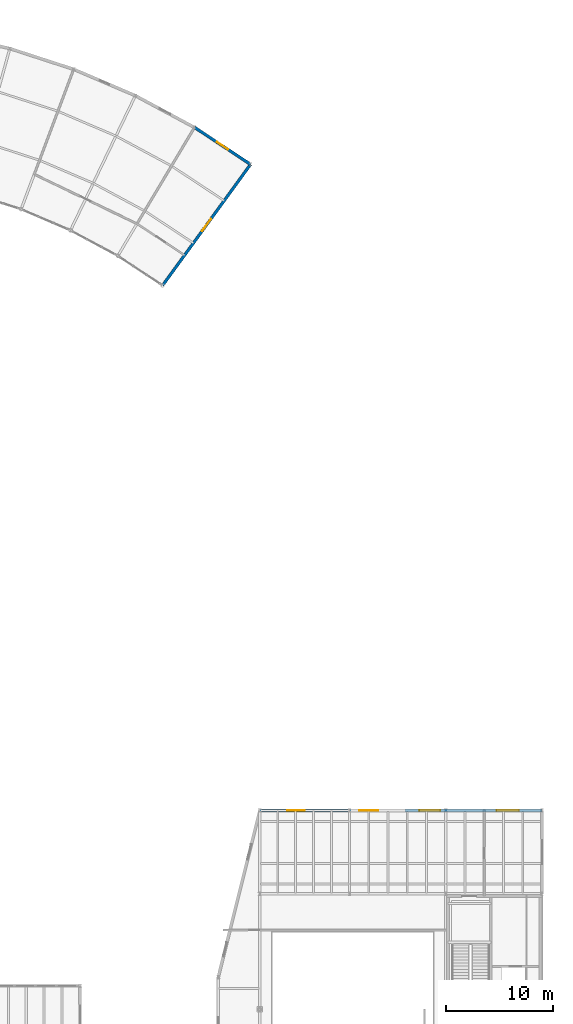
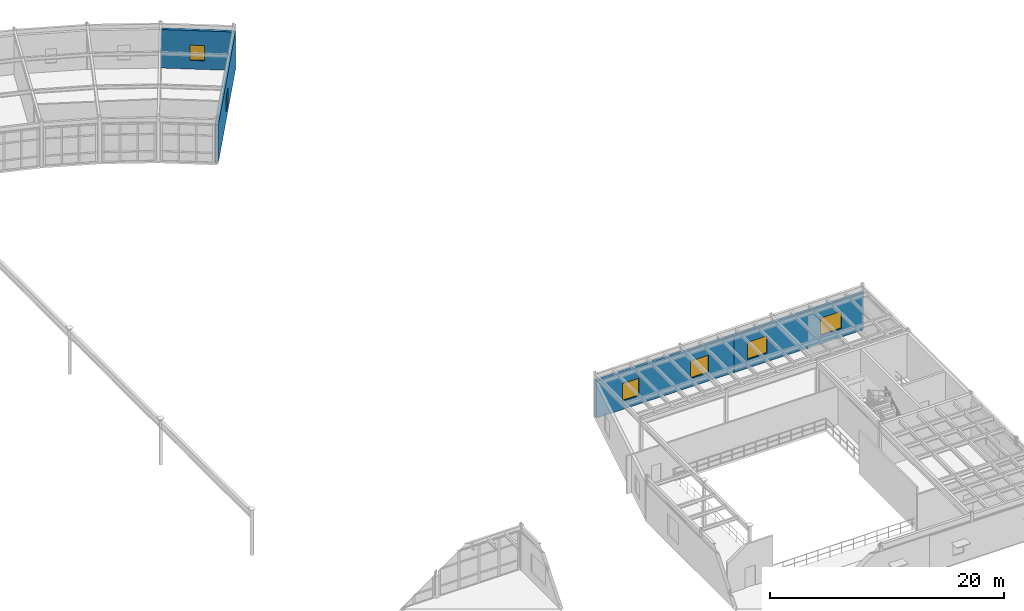
# One storey, part 101 of 116: 6 windows, 4 walls, 6 openings.
"""IFC4 building model written with IfcOpenShell, lengths in metres."""

from ifc_helpers import new_model, si_unit, direction, frame, frame_2d, origin, place, context, subcontext, project, spatial, rectangle, extrude, material, layer, layer_set, type_object, element, fill, save


model = new_model("IFC4")

# Units and contexts
model_context = context("Model", 3, precision=1e-05, world=origin(), true_north=direction((0.0, 1.0)))
body_context = subcontext(model_context, "Body", "Model", "MODEL_VIEW")
ifc_project = project(units=[si_unit("LENGTHUNIT", "METRE"), si_unit("AREAUNIT", "SQUARE_METRE"), si_unit("VOLUMEUNIT", "CUBIC_METRE"), si_unit("PLANEANGLEUNIT", "RADIAN"), si_unit("MASSUNIT", "GRAM", prefix="KILO")], contexts=[model_context])

# Site, building, storey
site_placement = place(None, origin())
site = spatial("IfcSite", under=ifc_project, at=site_placement, CompositionType="ELEMENT")
building_placement = place(site_placement, origin())
building = spatial("IfcBuilding", under=site, at=building_placement, Name="Selat Folded Stagehouse", CompositionType="ELEMENT")
storey_placement = place(building_placement, frame((0.0, 0.0, 5.39990234375)))
storey = spatial("IfcBuildingStorey", under=building, at=storey_placement, Name="L01", CompositionType="ELEMENT", Elevation=5.39990234375)

# Wall, openings, windows
ifc_material_1 = material(Name="Precast concrete C40/50", Category="concrete")
ifc_layer = layer(ifc_material_1, 0.27490234375)
ifc_layer_set = layer_set([ifc_layer], Name="Precast concrete C40/50")
wall_type = type_object("IfcWallType", Name="WAL-EXT-275", PredefinedType="STANDARD", material=ifc_layer_set)
wall_1_placement = place(storey_placement, frame((134.39990234375, 34.199951171875, 0.0), z_axis=(0.0, 0.0, 1.0), x_axis=(1.0, 0.0, 0.0)))
wall_1 = element("IfcWall", 1, at=wall_1_placement, inside=storey, type_object=wall_type, Name="L01 exterior facade wall EW-L01-V3N-1", PredefinedType="STANDARD", context=body_context, shape_type="SweptSolid", body=[
    extrude(rectangle(XDim=13.60009765625, YDim=0.27490234375, at=frame_2d((6.800048828125, 0.0))), origin(), (0.0, 0.0, 1.0), 3.888671875),
])
opening_1_placement = place(wall_1_placement, frame((2.574951171875, 0.0, 0.89990234375)))
opening_1 = element("IfcOpeningElement", 2, at=opening_1_placement, cuts=wall_1, Name="Opening WN-06", PredefinedType="OPENING", context=body_context, shape_type="SweptSolid", body=[
    extrude(rectangle(XDim=1.64990234375, YDim=1.800048828125, at=frame_2d((0.824951171875, 0.89990234375))), frame((0.0, 0.1474609375, 0.0), z_axis=(0.0, -1.0, 0.0), x_axis=(1.0, 0.0, 0.0)), (0.0, 0.0, 1.0), 0.294921875),
])
opening_2_placement = place(wall_1_placement, frame((9.300048828125, 0.0, 0.89990234375)))
opening_2 = element("IfcOpeningElement", 3, at=opening_2_placement, cuts=wall_1, Name="Opening WN-05", PredefinedType="OPENING", context=body_context, shape_type="SweptSolid", body=[
    extrude(rectangle(XDim=1.800048828125, YDim=1.800048828125, at=frame_2d((0.89990234375, 0.89990234375))), frame((0.0, 0.1474609375, 0.0), z_axis=(0.0, -1.0, 0.0), x_axis=(1.0, 0.0, 0.0)), (0.0, 0.0, 1.0), 0.294921875),
])
ifc_material_2 = material(Name="Thermally broken aluminium and acoustic low-E glass", Category="aluminium")
window_type_1 = type_object("IfcWindowType", Name="WIN-WK-1650x1800", PartitioningType="SINGLE_PANEL", PredefinedType="WINDOW", material=ifc_material_2)
window_1_placement = place(opening_1_placement, origin())
window_1 = element("IfcWindow", 4, at=window_1_placement, inside=storey, type_object=window_type_1, Name="L01 exterior window EW-L01-V3N-1-1", OverallHeight=1.800048828125, OverallWidth=1.64990234375, PartitioningType="SINGLE_PANEL", PredefinedType="WINDOW", context=body_context, shape_type="SweptSolid", body=[
    extrude(rectangle(XDim=1.64990234375, YDim=1.800048828125, at=frame_2d((0.824951171875, 0.89990234375))), frame((0.0, 0.030029296875, 0.0), z_axis=(0.0, -1.0, 0.0), x_axis=(1.0, 0.0, 0.0)), (0.0, 0.0, 1.0), 0.06005859375),
])
fill(opening_1, window_1)
window_type_2 = type_object("IfcWindowType", Name="WIN-WK-1800x1800", PartitioningType="SINGLE_PANEL", PredefinedType="WINDOW", material=ifc_material_2)
window_2_placement = place(opening_2_placement, origin())
window_2 = element("IfcWindow", 5, at=window_2_placement, inside=storey, type_object=window_type_2, Name="L01 exterior window EW-L01-V3N-1-2", OverallHeight=1.800048828125, OverallWidth=1.800048828125, PartitioningType="SINGLE_PANEL", PredefinedType="WINDOW", context=body_context, shape_type="SweptSolid", body=[
    extrude(rectangle(XDim=1.800048828125, YDim=1.800048828125, at=frame_2d((0.89990234375, 0.89990234375))), frame((0.0, 0.030029296875, 0.0), z_axis=(0.0, -1.0, 0.0), x_axis=(1.0, 0.0, 0.0)), (0.0, 0.0, 1.0), 0.06005859375),
])
fill(opening_2, window_2)

wall_2_placement = place(storey_placement, frame((148.0, 34.199951171875, 0.0), z_axis=(0.0, 0.0, 1.0), x_axis=(1.0, 0.0, 0.0)))
wall_2 = element("IfcWall", 6, at=wall_2_placement, inside=storey, type_object=wall_type, Name="L01 exterior facade wall EW-L01-V3N-2", PredefinedType="STANDARD", context=body_context, shape_type="SweptSolid", body=[
    extrude(rectangle(XDim=12.800048828125, YDim=0.27490234375, at=frame_2d((6.39990234375, 0.0))), origin(), (0.0, 0.0, 1.0), 3.888671875),
])
opening_3_placement = place(wall_2_placement, frame((1.324951171875, 0.0, 0.89990234375)))
opening_3 = element("IfcOpeningElement", 7, at=opening_3_placement, cuts=wall_2, Name="Opening WN-04", PredefinedType="OPENING", context=body_context, shape_type="SweptSolid", body=[
    extrude(rectangle(XDim=1.949951171875, YDim=1.800048828125, at=frame_2d((0.97509765625, 0.89990234375))), frame((0.0, 0.1474609375, 0.0), z_axis=(0.0, -1.0, 0.0), x_axis=(1.0, 0.0, 0.0)), (0.0, 0.0, 1.0), 0.294921875),
])
opening_4_placement = place(wall_2_placement, frame((8.550048828125, 0.0, 0.89990234375)))
opening_4 = element("IfcOpeningElement", 8, at=opening_4_placement, cuts=wall_2, Name="Opening WN-03", PredefinedType="OPENING", context=body_context, shape_type="SweptSolid", body=[
    extrude(rectangle(XDim=2.10009765625, YDim=1.800048828125, at=frame_2d((1.050048828125, 0.89990234375))), frame((0.0, 0.1474609375, 0.0), z_axis=(0.0, -1.0, 0.0), x_axis=(1.0, 0.0, 0.0)), (0.0, 0.0, 1.0), 0.294921875),
])
window_type_3 = type_object("IfcWindowType", Name="WIN-WK-1950x1800", PartitioningType="SINGLE_PANEL", PredefinedType="WINDOW", material=ifc_material_2)
window_3_placement = place(opening_3_placement, origin())
window_3 = element("IfcWindow", 9, at=window_3_placement, inside=storey, type_object=window_type_3, Name="L01 exterior window EW-L01-V3N-2-1", OverallHeight=1.800048828125, OverallWidth=1.949951171875, PartitioningType="SINGLE_PANEL", PredefinedType="WINDOW", context=body_context, shape_type="SweptSolid", body=[
    extrude(rectangle(XDim=1.949951171875, YDim=1.800048828125, at=frame_2d((0.97509765625, 0.89990234375))), frame((0.0, 0.030029296875, 0.0), z_axis=(0.0, -1.0, 0.0), x_axis=(1.0, 0.0, 0.0)), (0.0, 0.0, 1.0), 0.06005859375),
])
fill(opening_3, window_3)
window_type_4 = type_object("IfcWindowType", Name="WIN-WK-2100x1800", PartitioningType="SINGLE_PANEL", PredefinedType="WINDOW", material=ifc_material_2)
window_4_placement = place(opening_4_placement, origin())
window_4 = element("IfcWindow", 10, at=window_4_placement, inside=storey, type_object=window_type_4, Name="L01 exterior window EW-L01-V3N-2-2", OverallHeight=1.800048828125, OverallWidth=2.10009765625, PartitioningType="SINGLE_PANEL", PredefinedType="WINDOW", context=body_context, shape_type="SweptSolid", body=[
    extrude(rectangle(XDim=2.10009765625, YDim=1.800048828125, at=frame_2d((1.050048828125, 0.89990234375))), frame((0.0, 0.030029296875, 0.0), z_axis=(0.0, -1.0, 0.0), x_axis=(1.0, 0.0, 0.0)), (0.0, 0.0, 1.0), 0.06005859375),
])
fill(opening_4, window_4)

# Wall, opening, window
wall_3_placement = place(storey_placement, frame((128.302978515625, 98.09130859375, 0.0), z_axis=(0.0, 0.0, 1.0), x_axis=(0.834571163011, -0.550900148729, 0.0)))
wall_3 = element("IfcWall", 11, at=wall_3_placement, inside=storey, type_object=wall_type, Name="L01 exterior facade wall EW-L01-V6OUT-13", PredefinedType="STANDARD", context=body_context, shape_type="SweptSolid", body=[
    extrude(rectangle(XDim=6.281005859375, YDim=0.27490234375, at=frame_2d((3.140625, 0.0))), origin(), (0.0, 0.0, 1.0), 4.029052734375),
])
opening_5_placement = place(wall_3_placement, frame((2.515625, 0.0, 0.89990234375)))
opening_5 = element("IfcOpeningElement", 12, at=opening_5_placement, cuts=wall_3, Name="Opening WN-24", PredefinedType="OPENING", context=body_context, shape_type="SweptSolid", body=[
    extrude(rectangle(XDim=1.25, YDim=1.60009765625, at=frame_2d((0.625, 0.800048828125))), frame((0.0, 0.1474609375, 0.0), z_axis=(0.0, -1.0, 0.0), x_axis=(1.0, 0.0, 0.0)), (0.0, 0.0, 1.0), 0.294921875),
])
window_type_5 = type_object("IfcWindowType", Name="WIN-DR-1250x1600", PartitioningType="SINGLE_PANEL", PredefinedType="WINDOW", material=ifc_material_2)
window_5_placement = place(opening_5_placement, origin())
window_5 = element("IfcWindow", 13, at=window_5_placement, inside=storey, type_object=window_type_5, Name="L01 exterior window EW-L01-V6OUT-13-1", OverallHeight=1.60009765625, OverallWidth=1.25, PartitioningType="SINGLE_PANEL", PredefinedType="WINDOW", context=body_context, shape_type="SweptSolid", body=[
    extrude(rectangle(XDim=1.25, YDim=1.60009765625, at=frame_2d((0.625, 0.800048828125))), frame((0.0, 0.030029296875, 0.0), z_axis=(0.0, -1.0, 0.0), x_axis=(1.0, 0.0, 0.0)), (0.0, 0.0, 1.0), 0.06005859375),
])
fill(opening_5, window_5)

wall_4_placement = place(storey_placement, frame((133.544921875, 94.631103515625, 0.0), z_axis=(0.0, 0.0, 1.0), x_axis=(-0.587787980643, -0.809015012105, 0.0)))
wall_4 = element("IfcWall", 14, at=wall_4_placement, inside=storey, type_object=wall_type, Name="L01 exterior facade wall EW-L01-V6E", PredefinedType="STANDARD", context=body_context, shape_type="SweptSolid", body=[
    extrude(rectangle(XDim=14.0, YDim=0.27490234375, at=frame_2d((7.0, 0.0))), origin(), (0.0, 0.0, 1.0), 4.029052734375),
])
opening_6_placement = place(wall_4_placement, frame((6.300048828125, 0.0, 0.89990234375)))
opening_6 = element("IfcOpeningElement", 15, at=opening_6_placement, cuts=wall_4, Name="Opening WN-23", PredefinedType="OPENING", context=body_context, shape_type="SweptSolid", body=[
    extrude(rectangle(XDim=1.39990234375, YDim=1.60009765625, at=frame_2d((0.699951171875, 0.800048828125))), frame((0.0, 0.1474609375, 0.0), z_axis=(0.0, -1.0, 0.0), x_axis=(1.0, 0.0, 0.0)), (0.0, 0.0, 1.0), 0.294921875),
])
window_type_6 = type_object("IfcWindowType", Name="WIN-DR-1400x1600", PartitioningType="SINGLE_PANEL", PredefinedType="WINDOW", material=ifc_material_2)
window_6_placement = place(opening_6_placement, origin())
window_6 = element("IfcWindow", 16, at=window_6_placement, inside=storey, type_object=window_type_6, Name="L01 exterior window EW-L01-V6E-1", OverallHeight=1.60009765625, OverallWidth=1.39990234375, PartitioningType="SINGLE_PANEL", PredefinedType="WINDOW", context=body_context, shape_type="SweptSolid", body=[
    extrude(rectangle(XDim=1.39990234375, YDim=1.60009765625, at=frame_2d((0.699951171875, 0.800048828125))), frame((0.0, 0.030029296875, 0.0), z_axis=(0.0, -1.0, 0.0), x_axis=(1.0, 0.0, 0.0)), (0.0, 0.0, 1.0), 0.06005859375),
])
fill(opening_6, window_6)

save(model, "model.ifc")
